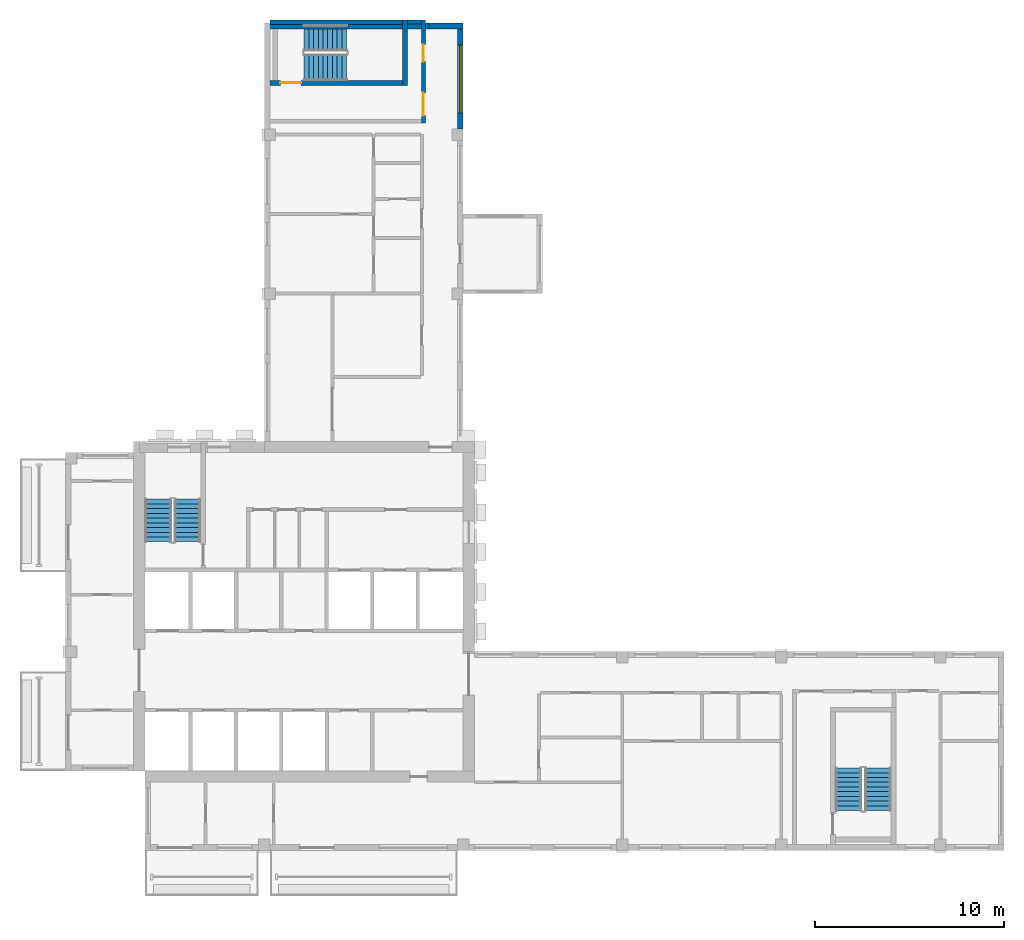
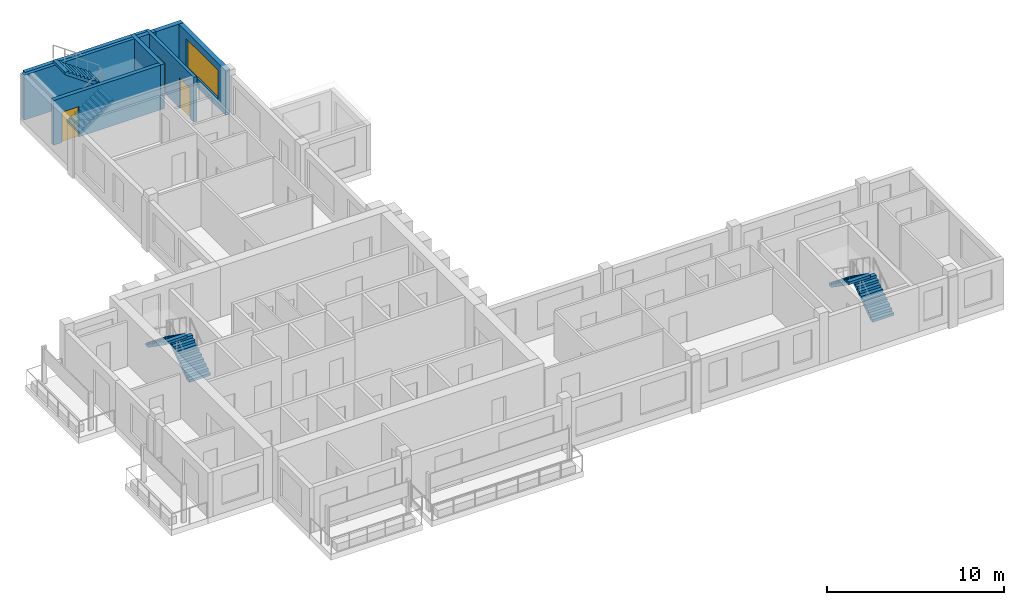
# One storey, part 6 of 10: 8 walls, 6 stair flights, 3 doors, 1 window, 4 openings, 3 elements without a shape of their own.
"""IFC4 building model written with IfcOpenShell, lengths in metres."""

from ifc_helpers import new_model, si_unit, direction, frame, frame_2d, origin, place, context, subcontext, project, spatial, polyline, rectangle, outline, extrude, source, transform, mapped, material, layer, layer_set, type_object, element, fill, aggregate, save


model = new_model("IFC4")

# Units and contexts
model_context = context("Model", 3, precision=1e-05, world=origin(), true_north=direction((0.0, 1.0)))
body_context = subcontext(model_context, "Body", "Model", "MODEL_VIEW")
ifc_project = project(units=[si_unit("LENGTHUNIT", "METRE"), si_unit("AREAUNIT", "SQUARE_METRE"), si_unit("VOLUMEUNIT", "CUBIC_METRE"), si_unit("PLANEANGLEUNIT", "RADIAN"), si_unit("MASSUNIT", "GRAM", prefix="KILO")], contexts=[model_context])

# Site, building, storey
site_placement = place(None, origin())
site = spatial("IfcSite", under=ifc_project, at=site_placement, CompositionType="ELEMENT")
building_placement = place(site_placement, origin())
building = spatial("IfcBuilding", under=site, at=building_placement, Name="Aurelian Terraces", CompositionType="ELEMENT")
storey_placement = place(building_placement, frame((0.0, 0.0, 354.5)))
storey = spatial("IfcBuildingStorey", under=building, at=storey_placement, Name="L84", CompositionType="ELEMENT", Elevation=354.5)

# Walls
ifc_material_1 = material(Name="Terracotta rainscreen cladding", Category="masonry")
ifc_layer_1 = layer(ifc_material_1, 0.3)
ifc_layer_set_1 = layer_set([ifc_layer_1], Name="EW-300")
wall_type_1 = type_object("IfcWallType", Name="EW-300", PredefinedType="STANDARD", material=ifc_layer_set_1)
shared_shape_1 = source(origin(), body_context, "Body", "SweptSolid", [
    extrude(rectangle(XDim=1.8, YDim=0.3, at=frame_2d((0.9, 0.0))), origin(), (0.0, 0.0, 1.0), 3.1),
])
wall_1_placement = place(storey_placement, frame((21.0, 43.53, 0.0), z_axis=(0.0, 0.0, 1.0), x_axis=(-1.0, 0.0, 0.0)))
element("IfcWall", 1, at=wall_1_placement, inside=storey, type_object=wall_type_1, Name="External wall L84 F05.13", PredefinedType="STANDARD", context=body_context, shape_type="MappedRepresentation", body=[
    mapped(shared_shape_1, transform((0.0, 0.0, 0.0), scale=1.0)),
])
ifc_material_2 = material(Name="Concrete fc' 40 MPa", Category="concrete")
ifc_layer_2 = layer(ifc_material_2, 0.3)
ifc_layer_set_2 = layer_set([ifc_layer_2], Name="STAIR BAY WALL 300")
wall_type_2 = type_object("IfcWallType", Name="STAIR BAY WALL 300", PredefinedType="SOLIDWALL", material=ifc_layer_set_2)
shared_shape_2 = source(origin(), body_context, "Body", "SweptSolid", [
    extrude(rectangle(XDim=8.6, YDim=0.3, at=frame_2d((4.3, 0.0))), origin(), (0.0, 0.0, 1.0), 3.1),
])
wall_2_placement = place(storey_placement, frame((19.2, 43.53, 0.0), z_axis=(0.0, 0.0, 1.0), x_axis=(-1.0, 0.0, 0.0)))
element("IfcWall", 2, at=wall_2_placement, inside=storey, type_object=wall_type_2, Name="Stair bay wall L84 F05.13", PredefinedType="SOLIDWALL", context=body_context, shape_type="MappedRepresentation", body=[
    mapped(shared_shape_2, transform((0.0, 0.0, 0.0), scale=1.0)),
])

# Wall, opening, window
shared_shape_3 = source(origin(), body_context, "Body", "SweptSolid", [
    extrude(rectangle(XDim=5.58, YDim=0.3, at=frame_2d((2.79, 0.0))), origin(), (0.0, 0.0, 1.0), 3.1),
])
wall_3_placement = place(storey_placement, frame((20.85, 38.1, 0.0), z_axis=(0.0, 0.0, 1.0), x_axis=(0.0, 1.0, 0.0)))
wall_3 = element("IfcWall", 3, at=wall_3_placement, inside=storey, type_object=wall_type_1, Name="External wall L84 F04.12", PredefinedType="STANDARD", context=body_context, shape_type="MappedRepresentation", body=[
    mapped(shared_shape_3, transform((0.0, 0.0, 0.0), scale=1.0)),
])
shared_shape_4 = source(origin(), body_context, "Body", "SweptSolid", [
    extrude(rectangle(XDim=3.6, YDim=2.0, at=frame_2d((1.8, 1.0))), frame((0.0, 0.16, 0.0), z_axis=(0.0, -1.0, 0.0), x_axis=(1.0, 0.0, 0.0)), (0.0, 0.0, 1.0), 0.32),
])
opening_1_placement = place(wall_3_placement, frame((0.84, 0.0, 0.6)))
opening_1 = element("IfcOpeningElement", 4, at=opening_1_placement, cuts=wall_3, Name="Opening W3620", PredefinedType="OPENING", context=body_context, shape_type="MappedRepresentation", body=[
    mapped(shared_shape_4, transform((0.0, 0.0, 0.0), scale=1.0)),
])
ifc_material_3 = material(Name="Clear glazing", Category="glass")
window_type = type_object("IfcWindowType", Name="W-3600x2000", PartitioningType="SINGLE_PANEL", PredefinedType="WINDOW", material=ifc_material_3)
shared_shape_5 = source(origin(), body_context, "Body", "SweptSolid", [
    extrude(rectangle(XDim=3.6, YDim=2.0, at=frame_2d((1.8, 1.0))), frame((0.0, 0.03, 0.0), z_axis=(0.0, -1.0, 0.0), x_axis=(1.0, 0.0, 0.0)), (0.0, 0.0, 1.0), 0.06),
])
window_placement = place(opening_1_placement, origin())
window = element("IfcWindow", 5, at=window_placement, inside=storey, type_object=window_type, Name="Window L84 L84-F04-12-0", OverallHeight=2.0, OverallWidth=3.6, PartitioningType="SINGLE_PANEL", PredefinedType="WINDOW", context=body_context, shape_type="MappedRepresentation", body=[
    mapped(shared_shape_5, transform((0.0, 0.0, 0.0), scale=1.0)),
])
fill(opening_1, window)

# Wall, opening, door
ifc_layer_3 = layer(ifc_material_2, 0.25)
ifc_layer_set_3 = layer_set([ifc_layer_3], Name="Stair enclosure wall 250")
wall_type_3 = type_object("IfcWallType", Name="Stair enclosure wall 250", PredefinedType="SOLIDWALL", material=ifc_layer_set_3)
shared_shape_6 = source(origin(), body_context, "Body", "SweptSolid", [
    extrude(rectangle(XDim=7.0, YDim=0.25, at=frame_2d((3.5, 0.0))), origin(), (0.0, 0.0, 1.0), 3.1),
])
wall_4_placement = place(storey_placement, frame((10.8, 40.525, 0.0), z_axis=(0.0, 0.0, 1.0), x_axis=(1.0, 0.0, 0.0)))
wall_4 = element("IfcWall", 6, at=wall_4_placement, inside=storey, type_object=wall_type_3, Name="L84 core wall ST-S3U-W", PredefinedType="SOLIDWALL", context=body_context, shape_type="MappedRepresentation", body=[
    mapped(shared_shape_6, transform((0.0, 0.0, 0.0), scale=1.0)),
])
shared_shape_7 = source(origin(), body_context, "Body", "SweptSolid", [
    extrude(rectangle(XDim=1.1, YDim=2.1, at=frame_2d((0.55, 1.05))), frame((0.0, 0.135, 0.0), z_axis=(0.0, -1.0, 0.0), x_axis=(1.0, 0.0, 0.0)), (0.0, 0.0, 1.0), 0.27),
])
opening_2_placement = place(wall_4_placement, frame((0.55, 0.0, 0.0)))
opening_2 = element("IfcOpeningElement", 7, at=opening_2_placement, cuts=wall_4, Name="Opening 68721", PredefinedType="OPENING", context=body_context, shape_type="MappedRepresentation", body=[
    mapped(shared_shape_7, transform((0.0, 0.0, 0.0), scale=1.0)),
])
ifc_material_4 = material(Name="Steel door leaf", Category="steel")
door_type_1 = type_object("IfcDoorType", Name="Core fire door 1100x2100", OperationType="SINGLE_SWING_LEFT", PredefinedType="DOOR", material=ifc_material_4)
shared_shape_8 = source(origin(), body_context, "Body", "SweptSolid", [
    extrude(rectangle(XDim=1.1, YDim=2.1, at=frame_2d((0.55, 1.05))), frame((0.0, 0.025, 0.0), z_axis=(0.0, -1.0, 0.0), x_axis=(1.0, 0.0, 0.0)), (0.0, 0.0, 1.0), 0.05),
])
door_1_placement = place(opening_2_placement, origin())
door_1 = element("IfcDoor", 8, at=door_1_placement, inside=storey, type_object=door_type_1, Name="Stair door 68721", OperationType="SINGLE_SWING_LEFT", OverallHeight=2.1, OverallWidth=1.1, PredefinedType="DOOR", context=body_context, shape_type="MappedRepresentation", body=[
    mapped(shared_shape_8, transform((0.0, 0.0, 0.0), scale=1.0)),
])
fill(opening_2, door_1)

# Walls
wall_5_placement = place(storey_placement, frame((10.8, 43.725, 0.0), z_axis=(0.0, 0.0, 1.0), x_axis=(1.0, 0.0, 0.0)))
element("IfcWall", 9, at=wall_5_placement, inside=storey, type_object=wall_type_3, Name="L84 core wall ST-S3U-E", PredefinedType="SOLIDWALL", context=body_context, shape_type="MappedRepresentation", body=[
    mapped(shared_shape_6, transform((0.0, 0.0, 0.0), scale=1.0)),
])
shared_shape_9 = source(origin(), body_context, "Body", "SweptSolid", [
    extrude(rectangle(XDim=3.45, YDim=0.25, at=frame_2d((1.725, 0.0))), origin(), (0.0, 0.0, 1.0), 3.1),
])
wall_6_placement = place(storey_placement, frame((17.925, 40.4, 0.0), z_axis=(0.0, 0.0, 1.0), x_axis=(0.0, 1.0, 0.0)))
element("IfcWall", 10, at=wall_6_placement, inside=storey, type_object=wall_type_3, Name="L84 core wall ST-S3U-N", PredefinedType="SOLIDWALL", context=body_context, shape_type="MappedRepresentation", body=[
    mapped(shared_shape_9, transform((0.0, 0.0, 0.0), scale=1.0)),
])

# Wall, openings, doors
ifc_material_5 = material(Name="Gypsum board on steel studs", Category="steel")
ifc_layer_4 = layer(ifc_material_5, 0.2)
ifc_layer_set_4 = layer_set([ifc_layer_4], Name="Core partition 200")
wall_type_4 = type_object("IfcWallType", Name="Core partition 200", PredefinedType="PARTITIONING", material=ifc_layer_set_4)
shared_shape_10 = source(origin(), body_context, "Body", "SweptSolid", [
    extrude(rectangle(XDim=5.45, YDim=0.2, at=frame_2d((2.725, 0.0))), origin(), (0.0, 0.0, 1.0), 3.1),
])
wall_7_placement = place(storey_placement, frame((18.9, 38.4, 0.0), z_axis=(0.0, 0.0, 1.0), x_axis=(0.0, 1.0, 0.0)))
wall_7 = element("IfcWall", 11, at=wall_7_placement, inside=storey, type_object=wall_type_4, Name="L84 core wall ST-S3U-BN", PredefinedType="PARTITIONING", context=body_context, shape_type="MappedRepresentation", body=[
    mapped(shared_shape_10, transform((0.0, 0.0, 0.0), scale=1.0)),
])
shared_shape_11 = source(origin(), body_context, "Body", "SweptSolid", [
    extrude(rectangle(XDim=1.2, YDim=2.1, at=frame_2d((0.6, 1.05))), frame((0.0, 0.11, 0.0), z_axis=(0.0, -1.0, 0.0), x_axis=(1.0, 0.0, 0.0)), (0.0, 0.0, 1.0), 0.22),
])
opening_3_placement = place(wall_7_placement, frame((0.4, 0.0, 0.0)))
opening_3 = element("IfcOpeningElement", 12, at=opening_3_placement, cuts=wall_7, Name="Opening 68722", PredefinedType="OPENING", context=body_context, shape_type="MappedRepresentation", body=[
    mapped(shared_shape_11, transform((0.0, 0.0, 0.0), scale=1.0)),
])
shared_shape_12 = source(origin(), body_context, "Body", "SweptSolid", [
    extrude(rectangle(XDim=0.9, YDim=2.1, at=frame_2d((0.45, 1.05))), frame((0.0, 0.11, 0.0), z_axis=(0.0, -1.0, 0.0), x_axis=(1.0, 0.0, 0.0)), (0.0, 0.0, 1.0), 0.22),
])
opening_4_placement = place(wall_7_placement, frame((3.25, 0.0, 0.0)))
opening_4 = element("IfcOpeningElement", 13, at=opening_4_placement, cuts=wall_7, Name="Opening 68723", PredefinedType="OPENING", context=body_context, shape_type="MappedRepresentation", body=[
    mapped(shared_shape_12, transform((0.0, 0.0, 0.0), scale=1.0)),
])
door_type_2 = type_object("IfcDoorType", Name="Core riser door 900x2100", OperationType="SINGLE_SWING_LEFT", PredefinedType="DOOR", material=ifc_material_4)
shared_shape_13 = source(origin(), body_context, "Body", "SweptSolid", [
    extrude(rectangle(XDim=0.9, YDim=2.1, at=frame_2d((0.45, 1.05))), frame((0.0, 0.025, 0.0), z_axis=(0.0, -1.0, 0.0), x_axis=(1.0, 0.0, 0.0)), (0.0, 0.0, 1.0), 0.05),
])
door_2_placement = place(opening_4_placement, origin())
door_2 = element("IfcDoor", 14, at=door_2_placement, inside=storey, type_object=door_type_2, Name="Riser door 68723", OperationType="SINGLE_SWING_LEFT", OverallHeight=2.1, OverallWidth=0.9, PredefinedType="DOOR", context=body_context, shape_type="MappedRepresentation", body=[
    mapped(shared_shape_13, transform((0.0, 0.0, 0.0), scale=1.0)),
])
fill(opening_4, door_2)
door_type_3 = type_object("IfcDoorType", Name="Core fire door 1200x2100 right", OperationType="SINGLE_SWING_RIGHT", PredefinedType="DOOR", material=ifc_material_4)
shared_shape_14 = source(origin(), body_context, "Body", "SweptSolid", [
    extrude(rectangle(XDim=1.2, YDim=2.1, at=frame_2d((0.6, 1.05))), frame((0.0, 0.025, 0.0), z_axis=(0.0, -1.0, 0.0), x_axis=(1.0, 0.0, 0.0)), (0.0, 0.0, 1.0), 0.05),
])
door_3_placement = place(opening_3_placement, origin())
door_3 = element("IfcDoor", 15, at=door_3_placement, inside=storey, type_object=door_type_3, Name="Vestibule door 68722", OperationType="SINGLE_SWING_RIGHT", OverallHeight=2.1, OverallWidth=1.2, PredefinedType="DOOR", context=body_context, shape_type="MappedRepresentation", body=[
    mapped(shared_shape_14, transform((0.0, 0.0, 0.0), scale=1.0)),
])
fill(opening_3, door_3)

# Wall
shared_shape_15 = source(origin(), body_context, "Body", "SweptSolid", [
    extrude(rectangle(XDim=0.75, YDim=0.2, at=frame_2d((0.375, 0.0))), origin(), (0.0, 0.0, 1.0), 3.1),
])
wall_8_placement = place(storey_placement, frame((18.05, 43.75, 0.0), z_axis=(0.0, 0.0, 1.0), x_axis=(1.0, 0.0, 0.0)))
element("IfcWall", 16, at=wall_8_placement, inside=storey, type_object=wall_type_4, Name="L84 core wall ST-S3U-RE", PredefinedType="PARTITIONING", context=body_context, shape_type="MappedRepresentation", body=[
    mapped(shared_shape_15, transform((0.0, 0.0, 0.0), scale=1.0)),
])

# Stair, stair flights
stair_type = type_object("IfcStairType", Name="Stair 1400", PredefinedType="HALF_TURN_STAIR", material=ifc_material_2)
stair_1_placement = place(storey_placement, origin())
stair_1 = element("IfcStair", 17, at=stair_1_placement, inside=storey, type_object=stair_type, Name="L84 S1", PredefinedType="HALF_TURN_STAIR")
stair_flight_type = type_object("IfcStairFlightType", Name="Stair flight 1400", PredefinedType="STRAIGHT", material=ifc_material_2)
shared_shape_16 = source(origin(), body_context, "Body", "SweptSolid", [
    extrude(outline(polyline([(0.0, 0.0), (0.0, 0.175), (0.25, 0.175), (0.25, 0.35), (0.5, 0.35), (0.5, 0.525), (0.75, 0.525), (0.75, 0.7), (1.0, 0.7), (1.0, 0.875), (1.25, 0.875), (1.25, 1.05), (1.5, 1.05), (1.5, 1.225), (1.75, 1.225), (1.75, 1.4), (2.0, 1.4), (2.0, 1.575), (2.25, 1.575), (2.25, 1.75), (2.25, 1.3919), (0.2616, 0.0), (0.0, 0.0)])), frame((0.0, 0.7, 0.0), z_axis=(0.0, -1.0, 0.0), x_axis=(1.0, 0.0, 0.0)), (0.0, 0.0, 1.0), 1.4),
])
stair_flight_1_placement = place(storey_placement, frame((6.45, 16.3, 2e-08), z_axis=(0.0, 0.0, 1.0), x_axis=(0.0, 1.0, 0.0)))
stair_flight_1 = element("IfcStairFlight", 18, at=stair_flight_1_placement, type_object=stair_flight_type, Name="S1 flight 1", NumberOfRisers=10, NumberOfTreads=9, PredefinedType="STRAIGHT", RiserHeight=0.175, TreadLength=0.25, context=body_context, shape_type="MappedRepresentation", body=[
    mapped(shared_shape_16, transform((0.0, 0.0, 0.0), scale=1.0)),
])
stair_flight_2_placement = place(storey_placement, frame((4.9, 18.55, 1.75000002), z_axis=(0.0, 0.0, 1.0), x_axis=(0.0, -1.0, 0.0)))
stair_flight_2 = element("IfcStairFlight", 19, at=stair_flight_2_placement, type_object=stair_flight_type, Name="S1 flight 2", NumberOfRisers=10, NumberOfTreads=9, PredefinedType="STRAIGHT", RiserHeight=0.175, TreadLength=0.25, context=body_context, shape_type="MappedRepresentation", body=[
    mapped(shared_shape_16, transform((0.0, 0.0, 0.0), scale=1.0)),
])
aggregate(stair_1, [stair_flight_1, stair_flight_2])

stair_2_placement = place(storey_placement, origin())
stair_2 = element("IfcStair", 20, at=stair_2_placement, inside=storey, type_object=stair_type, Name="L84 S2", PredefinedType="HALF_TURN_STAIR")
stair_flight_3_placement = place(storey_placement, frame((42.9, 2.1, 2e-08), z_axis=(0.0, 0.0, 1.0), x_axis=(0.0, 1.0, 0.0)))
stair_flight_3 = element("IfcStairFlight", 21, at=stair_flight_3_placement, type_object=stair_flight_type, Name="S2 flight 1", NumberOfRisers=10, NumberOfTreads=9, PredefinedType="STRAIGHT", RiserHeight=0.175, TreadLength=0.25, context=body_context, shape_type="MappedRepresentation", body=[
    mapped(shared_shape_16, transform((0.0, 0.0, 0.0), scale=1.0)),
])
stair_flight_4_placement = place(storey_placement, frame((41.35, 4.35, 1.75000002), z_axis=(0.0, 0.0, 1.0), x_axis=(0.0, -1.0, 0.0)))
stair_flight_4 = element("IfcStairFlight", 22, at=stair_flight_4_placement, type_object=stair_flight_type, Name="S2 flight 2", NumberOfRisers=10, NumberOfTreads=9, PredefinedType="STRAIGHT", RiserHeight=0.175, TreadLength=0.25, context=body_context, shape_type="MappedRepresentation", body=[
    mapped(shared_shape_16, transform((0.0, 0.0, 0.0), scale=1.0)),
])
aggregate(stair_2, [stair_flight_3, stair_flight_4])

stair_3_placement = place(storey_placement, origin())
stair_3 = element("IfcStair", 23, at=stair_3_placement, inside=storey, type_object=stair_type, Name="L84 S3U", PredefinedType="HALF_TURN_STAIR")
stair_flight_5_placement = place(storey_placement, frame((12.6, 41.35, 2e-08), z_axis=(0.0, 0.0, 1.0), x_axis=(1.0, 0.0, 0.0)))
stair_flight_5 = element("IfcStairFlight", 24, at=stair_flight_5_placement, type_object=stair_flight_type, Name="S3U flight 1", NumberOfRisers=10, NumberOfTreads=9, PredefinedType="STRAIGHT", RiserHeight=0.175, TreadLength=0.25, context=body_context, shape_type="MappedRepresentation", body=[
    mapped(shared_shape_16, transform((0.0, 0.0, 0.0), scale=1.0)),
])
stair_flight_6_placement = place(storey_placement, frame((14.85, 42.9, 1.75000002), z_axis=(0.0, 0.0, 1.0), x_axis=(-1.0, 0.0, 0.0)))
stair_flight_6 = element("IfcStairFlight", 25, at=stair_flight_6_placement, type_object=stair_flight_type, Name="S3U flight 2", NumberOfRisers=10, NumberOfTreads=9, PredefinedType="STRAIGHT", RiserHeight=0.175, TreadLength=0.25, context=body_context, shape_type="MappedRepresentation", body=[
    mapped(shared_shape_16, transform((0.0, 0.0, 0.0), scale=1.0)),
])
aggregate(stair_3, [stair_flight_5, stair_flight_6])

save(model, "model.ifc")
